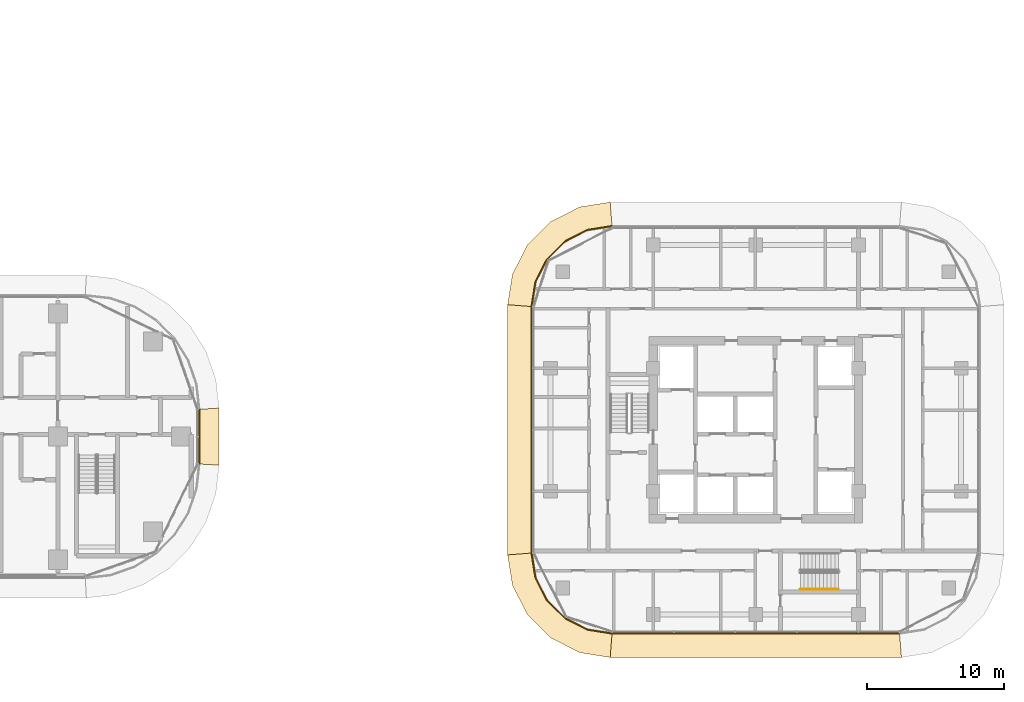
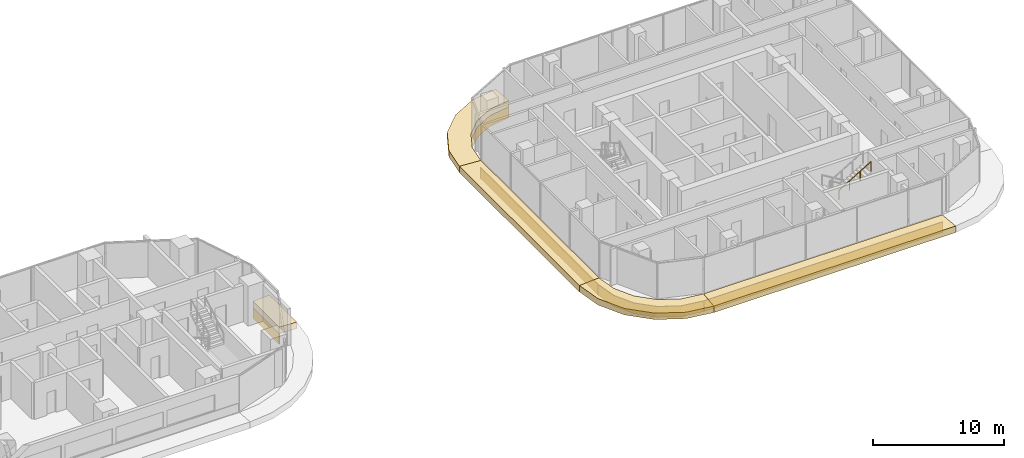
# One storey, part 37 of 39: 10 coverings, 1 railing.
"""IFC4 building model written with IfcOpenShell, lengths in metres."""

import ifcopenshell
import ifcopenshell.guid

model = None  # the IFC model being written
_history = None  # IfcOwnerHistory: only IFC2X3 demands one
_inside = {}  # id of a spatial element -> (the spatial element, [elements in it])
_under = {}  # id of a project, library or spatial element -> (it, [spatial elements below it])
_declared = {}  # id of a project -> (the project, [libraries it declares])
_typed = {}  # id of a type object -> (the type object, [elements of that type])
_made_of = {}  # id of a material, layer set ... -> (it, [elements and type objects made of it])


def new_model(schema):
    """Start an empty IFC model of exactly this schema.

    Asked for "IFC4X3", IfcOpenShell would pick the latest addendum, in which some entities
    have other attributes; the version numbers below select the first issue.
    IFC2X3 requires an IfcOwnerHistory on every rooted entity: one is made here for all.
    """
    global model, _history
    if schema == "IFC4X3":
        model = ifcopenshell.file(schema_version=(4, 3, 0, 0))
    else:
        model = ifcopenshell.file(schema=schema)
    _inside.clear()
    _under.clear()
    _declared.clear()
    _typed.clear()
    _made_of.clear()
    _history = None
    if model.schema == "IFC2X3":
        org = make("IfcOrganization", Name="unknown")
        user = make(
            "IfcPersonAndOrganization",
            ThePerson=make("IfcPerson", FamilyName="unknown"),
            TheOrganization=org,
        )
        app = make(
            "IfcApplication",
            ApplicationDeveloper=org,
            Version="unknown",
            ApplicationFullName="unknown",
            ApplicationIdentifier="unknown",
        )
        _history = make(
            "IfcOwnerHistory",
            OwningUser=user,
            OwningApplication=app,
            ChangeAction="ADDED",
            CreationDate=0,
        )
    return model


def make(cls, **values):
    """One entity of the class cls with the attributes given. An attribute that is None is left unset."""
    return model.create_entity(
        cls, **{name: value for name, value in values.items() if value is not None}
    )


def rooted(cls, **values):
    """An entity with a GlobalId (a new one), such as an element, a storey or a relation."""
    return make(cls, GlobalId=ifcopenshell.guid.new(), OwnerHistory=_history, **values)


def si_unit(unit_type, name, prefix=None):
    """IfcSIUnit, for example si_unit("LENGTHUNIT", "METRE", prefix="MILLI")."""
    return make("IfcSIUnit", UnitType=unit_type, Prefix=prefix, Name=name)


def assignment(units):
    """IfcUnitAssignment: the units of a project."""
    return None if units is None else make("IfcUnitAssignment", Units=units)


def point(xyz):
    """IfcCartesianPoint."""
    return None if xyz is None else make("IfcCartesianPoint", Coordinates=xyz)


def direction(xyz):
    """IfcDirection."""
    return None if xyz is None else make("IfcDirection", DirectionRatios=xyz)


def frame(location, z_axis=None, x_axis=None):
    """IfcAxis2Placement3D, a coordinate frame: its origin and axes. An axis left out is left unset."""
    return make(
        "IfcAxis2Placement3D",
        Location=point(location),
        Axis=direction(z_axis),
        RefDirection=direction(x_axis),
    )


def frame_2d(location, x_axis=None):
    """IfcAxis2Placement2D, a coordinate frame in the plane: its origin and x axis."""
    return make(
        "IfcAxis2Placement2D", Location=point(location), RefDirection=direction(x_axis)
    )


def origin():
    """The frame at (0, 0, 0) with its axes left unset."""
    return frame((0.0, 0.0, 0.0))


def origin_2d():
    """The frame at (0, 0) in the plane with its x axis left unset."""
    return frame_2d((0.0, 0.0))


def place(relative_to, where):
    """IfcLocalPlacement: puts the frame where relative to a parent placement (None: the world)."""
    return make(
        "IfcLocalPlacement", PlacementRelTo=relative_to, RelativePlacement=where
    )


def context(
    kind, dimensions, precision=None, world=None, true_north=None, identifier=None
):
    """IfcGeometricRepresentationContext, for example the 3D "Model" context."""
    return make(
        "IfcGeometricRepresentationContext",
        ContextIdentifier=identifier,
        ContextType=kind,
        CoordinateSpaceDimension=dimensions,
        Precision=precision,
        WorldCoordinateSystem=world,
        TrueNorth=true_north,
    )


def subcontext(parent, identifier, kind, view, scale=None):
    """IfcGeometricRepresentationSubContext, for example "Body" below "Model"."""
    return make(
        "IfcGeometricRepresentationSubContext",
        ContextIdentifier=identifier,
        ContextType=kind,
        ParentContext=parent,
        TargetScale=scale,
        TargetView=view,
    )


def project(units=None, contexts=None):
    """IfcProject with its units and contexts."""
    return rooted(
        "IfcProject",
        Name="project",
        RepresentationContexts=contexts,
        UnitsInContext=assignment(units),
    )


def spatial(cls, under=None, at=None, **own):
    """A site, building, storey or space (cls), placed at a placement, below another one or the project."""
    s = rooted(cls, ObjectPlacement=at, **own)
    if under is not None:
        _under.setdefault(under.id(), (under, []))[1].append(s)
    return s


def polyline(points):
    """IfcPolyline through the points."""
    return make("IfcPolyline", Points=[point(p) for p in points])


def profile(cls, at=None, kind="AREA", **sizes):
    """A parametric profile (cls). Its sizes go by their IFC names, for example OverallWidth=200.0."""
    return make(cls, ProfileType=kind, Position=at, **sizes)


def circle(**sizes):
    """IfcCircleProfileDef."""
    return profile("IfcCircleProfileDef", **sizes)


def outline(outer, holes=None, kind="AREA"):
    """IfcArbitraryClosedProfileDef: a profile drawn as a closed curve; with holes, ...WithVoids."""
    if holes is None:
        return make("IfcArbitraryClosedProfileDef", ProfileType=kind, OuterCurve=outer)
    return make(
        "IfcArbitraryProfileDefWithVoids",
        ProfileType=kind,
        OuterCurve=outer,
        InnerCurves=holes,
    )


def extrude(swept, where, along, depth):
    """IfcExtrudedAreaSolid: the profile swept, set in the frame where, extruded along a direction by depth."""
    return make(
        "IfcExtrudedAreaSolid",
        SweptArea=swept,
        Position=where,
        ExtrudedDirection=direction(along),
        Depth=depth,
    )


def shape(context_of_items, identifier, shape_type, items):
    """IfcShapeRepresentation: the items that make up one representation, for example the "Body"."""
    return make(
        "IfcShapeRepresentation",
        ContextOfItems=context_of_items,
        RepresentationIdentifier=identifier,
        RepresentationType=shape_type,
        Items=items,
    )


def material(Name=None, Category=None):
    """IfcMaterial."""
    return make("IfcMaterial", Name=Name, Category=Category)


def layer(
    of_material, thickness, ventilated=None, Name=None, Category=None, Priority=None
):
    """IfcMaterialLayer: one layer of a wall or slab, of a material (None: an air gap)."""
    return make(
        "IfcMaterialLayer",
        Material=of_material,
        LayerThickness=thickness,
        IsVentilated=ventilated,
        Name=Name,
        Category=Category,
        Priority=Priority,
    )


def layer_set(layers, Name=None):
    """IfcMaterialLayerSet."""
    return make("IfcMaterialLayerSet", MaterialLayers=layers, LayerSetName=Name)


def made_of(thing, what):
    """Note that an element or type object is made of a material, layer set ...; save() writes the relation."""
    if what is not None:
        _made_of.setdefault(what.id(), (what, []))[1].append(thing)
    return thing


def type_object(cls, material=None, **own):
    """A type object (cls), such as IfcWallType, which elements share."""
    return made_of(rooted(cls, **own), material)


def element(
    cls,
    number,
    at=None,
    inside=None,
    cuts=None,
    type_object=None,
    material=None,
    context=None,
    identifier="Body",
    shape_type=None,
    held_by="IfcProductDefinitionShape",
    body=None,
    shapes=None,
    **own,
):
    """One element of the class cls, such as IfcWall. Its Tag is "e" and its number.

    at: its placement. inside: the storey or other place that contains it. cuts: it is an
    opening in that element (IfcRelVoidsElement). A single representation is given by context,
    identifier, shape_type and body (its items); several are given by shapes. held_by: the class
    of the entity that holds the representations. save() writes the other relations.
    """
    e = rooted(cls, Tag="e%d" % number, ObjectPlacement=at, **own)
    if body is not None:
        shapes = [shape(context, identifier, shape_type, body)]
    if shapes is not None:
        e.Representation = make(held_by, Representations=shapes)
    if inside is not None:
        _inside.setdefault(inside.id(), (inside, []))[1].append(e)
    if cuts is not None:
        rooted(
            "IfcRelVoidsElement", RelatingBuildingElement=cuts, RelatedOpeningElement=e
        )
    if type_object is not None:
        _typed.setdefault(type_object.id(), (type_object, []))[1].append(e)
    return made_of(e, material)


def aggregate(whole, parts):
    """IfcRelAggregates: a whole, such as a stair, and the parts it consists of."""
    return rooted("IfcRelAggregates", RelatingObject=whole, RelatedObjects=parts)


def save(model, path):
    """Write the relations noted so far, then the file.

    IfcRelAggregates (storeys below a building ...), IfcRelContainedInSpatialStructure (elements
    in a storey), IfcRelDefinesByType, IfcRelAssociatesMaterial and IfcRelDeclares: one each for
    every whole, place, type object, material and project.
    """
    for whole, parts in _under.values():
        aggregate(whole, parts)
    for where, things in _inside.values():
        rooted(
            "IfcRelContainedInSpatialStructure",
            RelatedElements=things,
            RelatingStructure=where,
        )
    for kind, things in _typed.values():
        rooted("IfcRelDefinesByType", RelatedObjects=things, RelatingType=kind)
    for what, things in _made_of.values():
        rooted("IfcRelAssociatesMaterial", RelatedObjects=things, RelatingMaterial=what)
    for by, libraries in _declared.values():
        rooted("IfcRelDeclares", RelatingContext=by, RelatedDefinitions=libraries)
    model.write(path)


model = new_model("IFC4")

# Units and contexts
model_context = context("Model", 3, precision=1e-05, world=origin(), true_north=direction((0.0, 1.0)))
body_context = subcontext(model_context, "Body", "Model", "MODEL_VIEW")
ifc_project = project(units=[si_unit("LENGTHUNIT", "METRE"), si_unit("AREAUNIT", "SQUARE_METRE"), si_unit("VOLUMEUNIT", "CUBIC_METRE"), si_unit("PLANEANGLEUNIT", "RADIAN"), si_unit("MASSUNIT", "GRAM", prefix="KILO")], contexts=[model_context])

# Site, building, storey
site_placement = place(None, origin())
site = spatial("IfcSite", under=ifc_project, at=site_placement, CompositionType="ELEMENT")
building_placement = place(site_placement, origin())
building = spatial("IfcBuilding", under=site, at=building_placement, Name="Ogive Portal Towers", CompositionType="ELEMENT")
storey_placement = place(building_placement, frame((0.0, 0.0, 44.60009765625)))
storey = spatial("IfcBuildingStorey", under=building, at=storey_placement, Name="L09", CompositionType="ELEMENT", Elevation=44.60009765625)

# Railing
ifc_material_1 = material(Name="Stainless steel handrail", Category="steel")
railing_type = type_object("IfcRailingType", Name="INT-HANDRAIL", PredefinedType="HANDRAIL", material=ifc_material_1)
railing_placement = place(storey_placement, frame((139.75, 19.35009765625, 2.01806640625)))
element("IfcRailing", 1, at=railing_placement, inside=storey, type_object=railing_type, Name="L09 ST-B2 stair handrail 2", PredefinedType="HANDRAIL", context=body_context, shape_type="SweptSolid", body=[
    extrude(circle(Radius=0.02392578125, at=origin_2d()), frame((0.0, 0.0, 0.8759765625), z_axis=(0.857242210791, 0.0, 0.514913383045), x_axis=(0.0, 1.0, 0.0)), (0.0, 0.0, 1.0), 3.266357421875),
    extrude(circle(Radius=0.02099609375, at=origin_2d()), origin(), (0.0, 0.0, 1.0), 0.851806640625),
    extrude(circle(Radius=0.02099609375, at=origin_2d()), frame((0.933349609375, 0.0, 0.560546875)), (0.0, 0.0, 1.0), 0.851806640625),
    extrude(circle(Radius=0.02099609375, at=origin_2d()), frame((1.86669921875, 0.0, 1.121337890625)), (0.0, 0.0, 1.0), 0.851806640625),
    extrude(circle(Radius=0.02099609375, at=origin_2d()), frame((2.800048828125, 0.0, 1.681884765625)), (0.0, 0.0, 1.0), 0.851806640625),
])

# Coverings
ifc_material_2 = material(Name="Limestone cladding on lightweight block wall", Category="masonry")
ifc_layer_1 = layer(ifc_material_2, 0.080078125)
ifc_layer_set_1 = layer_set([ifc_layer_1], Name="STONE SPANDREL 80")
covering_type_1 = type_object("IfcCoveringType", Name="STONE SPANDREL 80", PredefinedType="CLADDING", material=ifc_layer_set_1)
covering_1_placement = place(storey_placement, frame((0.0, 0.0, -1.60009765625)))
element("IfcCovering", 2, at=covering_1_placement, inside=storey, type_object=covering_type_1, Name="Stone spandrel A1-F07", PredefinedType="CLADDING", context=body_context, shape_type="SweptSolid", body=[
    extrude(outline(polyline([(95.784912109375, 28.5), (95.784912109375, 32.5), (95.864990234375, 32.50439453125), (95.864990234375, 28.49560546875), (95.784912109375, 28.5)])), origin(), (0.0, 0.0, 1.0), 1.0),
])
covering_2_placement = place(storey_placement, frame((0.0, 0.0, -1.60009765625)))
element("IfcCovering", 3, at=covering_2_placement, inside=storey, type_object=covering_type_1, Name="Stone spandrel B1-F01", PredefinedType="CLADDING", context=body_context, shape_type="SweptSolid", body=[
    extrude(outline(polyline([(120.1650390625, 22.0), (120.45068359375, 20.19677734375), (121.279296875, 18.5703125), (122.5703125, 17.279296875), (124.19677734375, 16.45068359375), (126.0, 16.1650390625), (125.99365234375, 16.0849609375), (124.171875, 16.37353515625), (122.522705078125, 17.2138671875), (121.2138671875, 18.522705078125), (120.37353515625, 20.171875), (120.0849609375, 21.99365234375), (120.1650390625, 22.0)])), origin(), (0.0, 0.0, 1.0), 1.0),
])
covering_3_placement = place(storey_placement, frame((0.0, 0.0, -1.60009765625)))
element("IfcCovering", 4, at=covering_3_placement, inside=storey, type_object=covering_type_1, Name="Stone spandrel B1-F02", PredefinedType="CLADDING", context=body_context, shape_type="SweptSolid", body=[
    extrude(outline(polyline([(126.0, 16.1650390625), (147.0, 16.1650390625), (147.00634765625, 16.0849609375), (125.99365234375, 16.0849609375), (126.0, 16.1650390625)])), origin(), (0.0, 0.0, 1.0), 1.0),
])
covering_4_placement = place(storey_placement, frame((0.0, 0.0, -1.60009765625)))
element("IfcCovering", 5, at=covering_4_placement, inside=storey, type_object=covering_type_1, Name="Stone spandrel B1-F07", PredefinedType="CLADDING", context=body_context, shape_type="SweptSolid", body=[
    extrude(outline(polyline([(126.0, 45.8349609375), (124.19677734375, 45.54931640625), (122.5703125, 44.720703125), (121.279296875, 43.4296875), (120.45068359375, 41.80322265625), (120.1650390625, 40.0), (120.0849609375, 40.00634765625), (120.37353515625, 41.828125), (121.2138671875, 43.477294921875), (122.522705078125, 44.7861328125), (124.171875, 45.62646484375), (125.99365234375, 45.9150390625), (126.0, 45.8349609375)])), origin(), (0.0, 0.0, 1.0), 1.0),
])
covering_5_placement = place(storey_placement, frame((0.0, 0.0, -1.60009765625)))
element("IfcCovering", 6, at=covering_5_placement, inside=storey, type_object=covering_type_1, Name="Stone spandrel B1-F08", PredefinedType="CLADDING", context=body_context, shape_type="SweptSolid", body=[
    extrude(outline(polyline([(120.1650390625, 40.0), (120.1650390625, 22.0), (120.0849609375, 21.99365234375), (120.0849609375, 40.00634765625), (120.1650390625, 40.0)])), origin(), (0.0, 0.0, 1.0), 1.0),
])
ifc_layer_2 = layer(ifc_material_2, 0.60009765625)
ifc_layer_set_2 = layer_set([ifc_layer_2], Name="SUNSHADE LIP 600")
covering_type_2 = type_object("IfcCoveringType", Name="SUNSHADE LIP 600", PredefinedType="CLADDING", material=ifc_layer_set_2)
covering_6_placement = place(storey_placement, frame((0.0, 0.0, -0.60009765625)))
element("IfcCovering", 7, at=covering_6_placement, inside=storey, type_object=covering_type_2, Name="Sunshade lip A1-F07", PredefinedType="CLADDING", context=body_context, shape_type="SweptSolid", body=[
    extrude(outline(polyline([(95.784912109375, 28.5), (95.784912109375, 32.5), (97.284912109375, 32.584228515625), (97.284912109375, 28.415771484375), (95.784912109375, 28.5)])), origin(), (0.0, 0.0, 1.0), 0.60009765625),
])
covering_7_placement = place(storey_placement, frame((0.0, 0.0, -0.60009765625)))
element("IfcCovering", 8, at=covering_7_placement, inside=storey, type_object=covering_type_2, Name="Sunshade lip B1-F01", PredefinedType="CLADDING", context=body_context, shape_type="SweptSolid", body=[
    extrude(outline(polyline([(120.1650390625, 22.0), (120.45068359375, 20.19677734375), (121.279296875, 18.5703125), (122.5703125, 17.279296875), (124.19677734375, 16.45068359375), (126.0, 16.1650390625), (125.8583984375, 14.364990234375), (123.6337890625, 14.71728515625), (121.4990234375, 15.804931640625), (119.804931640625, 17.4990234375), (118.71728515625, 19.6337890625), (118.364990234375, 21.8583984375), (120.1650390625, 22.0)])), origin(), (0.0, 0.0, 1.0), 0.60009765625),
])
covering_8_placement = place(storey_placement, frame((0.0, 0.0, -0.60009765625)))
element("IfcCovering", 9, at=covering_8_placement, inside=storey, type_object=covering_type_2, Name="Sunshade lip B1-F02", PredefinedType="CLADDING", context=body_context, shape_type="SweptSolid", body=[
    extrude(outline(polyline([(126.0, 16.1650390625), (147.0, 16.1650390625), (147.1416015625, 14.364990234375), (125.8583984375, 14.364990234375), (126.0, 16.1650390625)])), origin(), (0.0, 0.0, 1.0), 0.60009765625),
])
covering_9_placement = place(storey_placement, frame((0.0, 0.0, -0.60009765625)))
element("IfcCovering", 10, at=covering_9_placement, inside=storey, type_object=covering_type_2, Name="Sunshade lip B1-F07", PredefinedType="CLADDING", context=body_context, shape_type="SweptSolid", body=[
    extrude(outline(polyline([(126.0, 45.8349609375), (124.19677734375, 45.54931640625), (122.5703125, 44.720703125), (121.279296875, 43.4296875), (120.45068359375, 41.80322265625), (120.1650390625, 40.0), (118.364990234375, 40.1416015625), (118.71728515625, 42.3662109375), (119.804931640625, 44.5009765625), (121.4990234375, 46.195068359375), (123.6337890625, 47.28271484375), (125.8583984375, 47.635009765625), (126.0, 45.8349609375)])), origin(), (0.0, 0.0, 1.0), 0.60009765625),
])
covering_10_placement = place(storey_placement, frame((0.0, 0.0, -0.60009765625)))
element("IfcCovering", 11, at=covering_10_placement, inside=storey, type_object=covering_type_2, Name="Sunshade lip B1-F08", PredefinedType="CLADDING", context=body_context, shape_type="SweptSolid", body=[
    extrude(outline(polyline([(120.1650390625, 40.0), (120.1650390625, 22.0), (118.364990234375, 21.8583984375), (118.364990234375, 40.1416015625), (120.1650390625, 40.0)])), origin(), (0.0, 0.0, 1.0), 0.60009765625),
])

save(model, "model.ifc")
